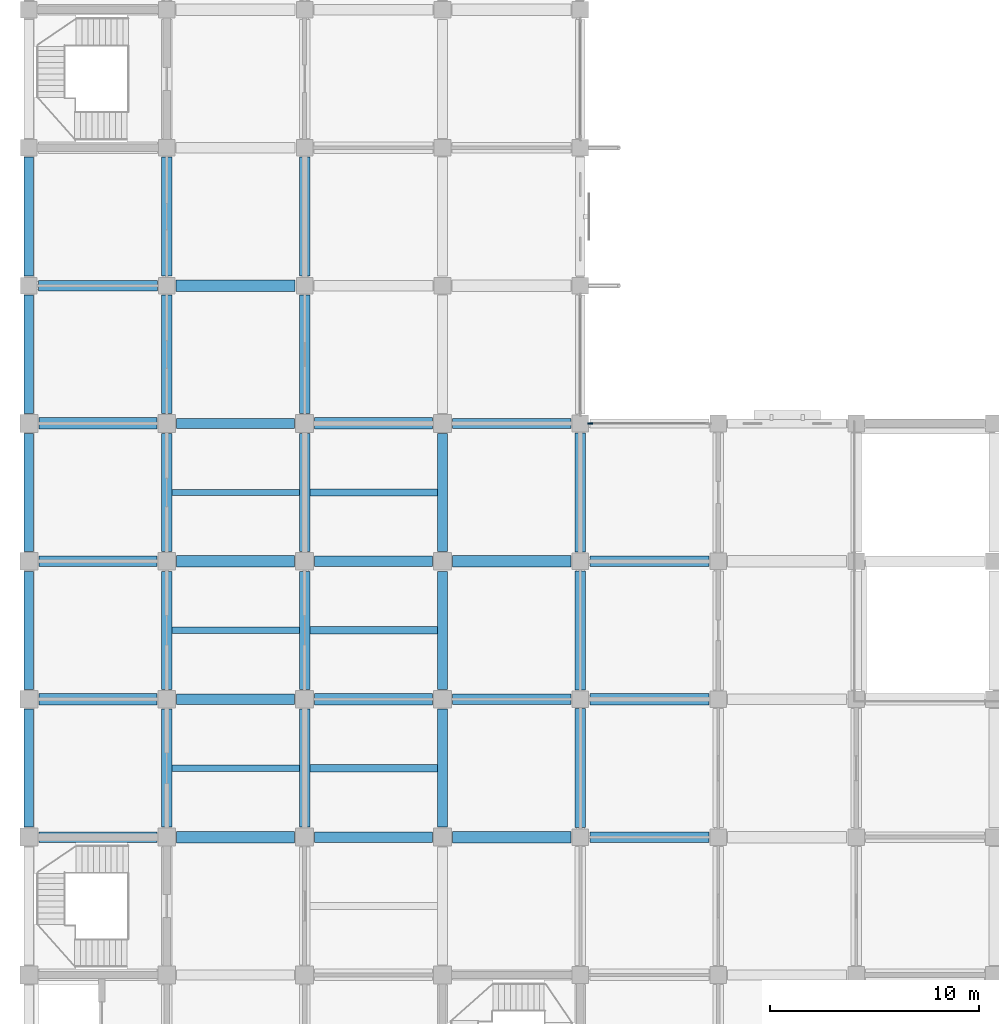
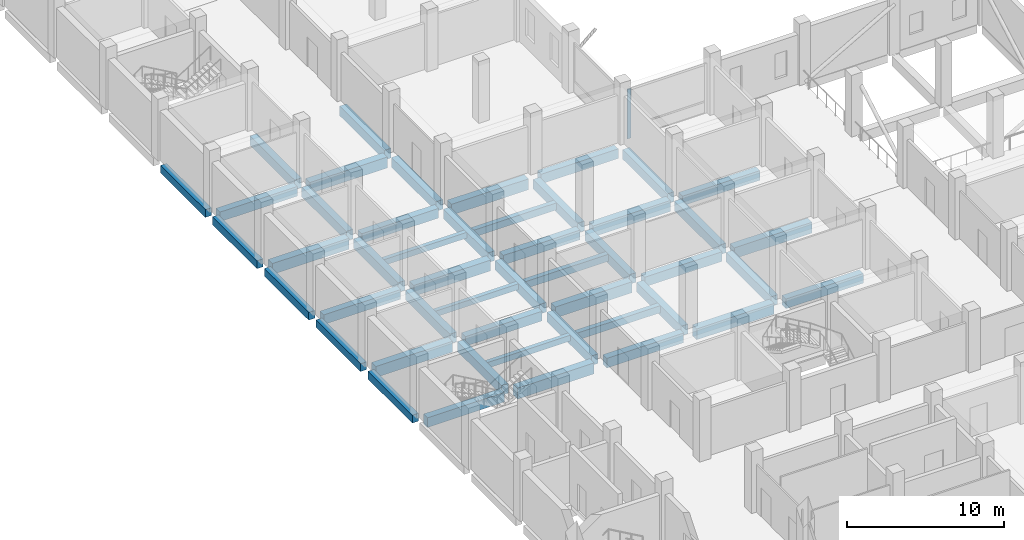
# One storey, part 4 of 34: 48 beams, 1 member, 1 element without a shape of its own.
"""IFC4 building model written with IfcOpenShell, lengths in metres."""

from ifc_helpers import new_model, si_unit, direction, frame, origin, origin_2d, place, context, subcontext, project, spatial, rectangle, extrude, material, material_profile, profile_set, type_object, element, aggregate, save


model = new_model("IFC4")

# Units and contexts
model_context = context("Model", 3, precision=1e-05, world=origin(), true_north=direction((0.0, 1.0)))
body_context = subcontext(model_context, "Body", "Model", "MODEL_VIEW")
ifc_project = project(units=[si_unit("LENGTHUNIT", "METRE"), si_unit("AREAUNIT", "SQUARE_METRE"), si_unit("VOLUMEUNIT", "CUBIC_METRE"), si_unit("PLANEANGLEUNIT", "RADIAN"), si_unit("MASSUNIT", "GRAM", prefix="KILO")], contexts=[model_context])

# Site, building, storey
site_placement = place(None, origin())
site = spatial("IfcSite", under=ifc_project, at=site_placement, CompositionType="ELEMENT")
building_placement = place(site_placement, origin())
building = spatial("IfcBuilding", under=site, at=building_placement, Name="Rusizi Kubbe Research Institute", CompositionType="ELEMENT")
storey_placement = place(building_placement, frame((0.0, 0.0, 5.39990234375)))
storey = spatial("IfcBuildingStorey", under=building, at=storey_placement, Name="L01", CompositionType="ELEMENT", Elevation=5.39990234375)

# Beams
ifc_material_1 = material(Name="Concrete C40/50", Category="concrete")
ifc_material_profile_1 = material_profile(ifc_material_1, rectangle(XDim=0.300048828125, YDim=0.449951171875, at=origin_2d()), Name="RC300x450")
ifc_profile_set_1 = profile_set([ifc_material_profile_1], Name="Concrete C40/50")
beam_type_1 = type_object("IfcBeamType", Name="BM-RC300x450", PredefinedType="LINTEL", material=ifc_profile_set_1)
for number, where, z_axis, x_axis, name in (
    (1, (6.85009765625, 36.300048828125, -0.574951171875), (1.0, 0.0, 0.0), (0.0, 1.0, 0.0), "Corridor Portal Lintel Beam L01-05"),
    (2, (6.85009765625, 42.89990234375, -0.574951171875), (1.0, 0.0, 0.0), (0.0, 1.0, 0.0), "Corridor Portal Lintel Beam L01-06"),
    (3, (6.85009765625, 49.5, -0.574951171875), (1.0, 0.0, 0.0), (0.0, 1.0, 0.0), "Corridor Portal Lintel Beam L01-07"),
):
    element("IfcBeam", number, at=place(storey_placement, frame(where, z_axis=z_axis, x_axis=x_axis)), inside=storey, type_object=beam_type_1, Name=name, PredefinedType="LINTEL", context=body_context, shape_type="SweptSolid", body=[
        extrude(rectangle(XDim=0.300048828125, YDim=0.449951171875, at=origin_2d()), origin(), (0.0, 0.0, 1.0), 6.099853515625),
    ])
ifc_material_2 = material(Name="Concrete C40/50", Category="concrete")
ifc_material_profile_2 = material_profile(ifc_material_2, rectangle(XDim=0.35009765625, YDim=0.550048828125, at=origin_2d()), Name="RC350x550")
ifc_profile_set_2 = profile_set([ifc_material_profile_2], Name="Concrete C40/50")
beam_type_2 = type_object("IfcBeamType", Name="BM-RC350x550", PredefinedType="JOIST", material=ifc_profile_set_2)
for number, where, z_axis, x_axis, name in (
    (4, (13.449951171875, 36.300048828125, -0.625), (1.0, 0.0, 0.0), (0.0, 1.0, 0.0), "Lab Stiffener Joist L01 (2,5)"),
    (5, (13.449951171875, 42.89990234375, -0.625), (1.0, 0.0, 0.0), (0.0, 1.0, 0.0), "Lab Stiffener Joist L01 (2,6)"),
    (6, (13.449951171875, 49.5, -0.625), (1.0, 0.0, 0.0), (0.0, 1.0, 0.0), "Lab Stiffener Joist L01 (2,7)"),
):
    element("IfcBeam", number, at=place(storey_placement, frame(where, z_axis=z_axis, x_axis=x_axis)), inside=storey, type_object=beam_type_2, Name=name, PredefinedType="JOIST", context=body_context, shape_type="SweptSolid", body=[
        extrude(rectangle(XDim=0.35009765625, YDim=0.550048828125, at=origin_2d()), origin(), (0.0, 0.0, 1.0), 6.10009765625),
    ])
ifc_material_3 = material(Name="Concrete C40/50", Category="concrete")
ifc_material_profile_3 = material_profile(ifc_material_3, rectangle(XDim=0.449951171875, YDim=0.60009765625, at=origin_2d()), Name="RC450x600")
ifc_profile_set_3 = profile_set([ifc_material_profile_3], Name="Concrete C40/50")
beam_type_3 = type_object("IfcBeamType", Name="BM-RC450x600", PredefinedType="SPANDREL", material=ifc_profile_set_3)
beam_1_placement = place(storey_placement, frame((0.0, 33.47509765625, -0.64990234375), z_axis=(0.0, 1.0, 0.0), x_axis=(-1.0, 0.0, 0.0)))
element("IfcBeam", 7, at=beam_1_placement, inside=storey, type_object=beam_type_3, Name="Grid Beam V L01 (0,5)", PredefinedType="SPANDREL", context=body_context, shape_type="SweptSolid", body=[
    extrude(rectangle(XDim=0.449951171875, YDim=0.60009765625, at=origin_2d()), origin(), (0.0, 0.0, 1.0), 5.64990234375),
])
beam_2_placement = place(storey_placement, frame((0.0, 40.074951171875, -0.64990234375), z_axis=(0.0, 1.0, 0.0), x_axis=(-1.0, 0.0, 0.0)))
element("IfcBeam", 8, at=beam_2_placement, inside=storey, type_object=beam_type_3, Name="Grid Beam V L01 (0,6)", PredefinedType="SPANDREL", context=body_context, shape_type="SweptSolid", body=[
    extrude(rectangle(XDim=0.449951171875, YDim=0.60009765625, at=origin_2d()), origin(), (0.0, 0.0, 1.0), 5.650146484375),
])
beam_3_placement = place(storey_placement, frame((0.0, 46.675048828125, -0.64990234375), z_axis=(0.0, 1.0, 0.0), x_axis=(-1.0, 0.0, 0.0)))
element("IfcBeam", 9, at=beam_3_placement, inside=storey, type_object=beam_type_3, Name="Grid Beam V L01 (0,7)", PredefinedType="SPANDREL", context=body_context, shape_type="SweptSolid", body=[
    extrude(rectangle(XDim=0.449951171875, YDim=0.60009765625, at=origin_2d()), origin(), (0.0, 0.0, 1.0), 5.64990234375),
])
beam_4_placement = place(storey_placement, frame((0.0, 53.27490234375, -0.64990234375), z_axis=(0.0, 1.0, 0.0), x_axis=(-1.0, 0.0, 0.0)))
element("IfcBeam", 10, at=beam_4_placement, inside=storey, type_object=beam_type_3, Name="Grid Beam V L01 (0,8)", PredefinedType="SPANDREL", context=body_context, shape_type="SweptSolid", body=[
    extrude(rectangle(XDim=0.449951171875, YDim=0.60009765625, at=origin_2d()), origin(), (0.0, 0.0, 1.0), 5.675048828125),
])
beam_5_placement = place(storey_placement, frame((0.0, 59.85009765625, -0.64990234375), z_axis=(0.0, 1.0, 0.0), x_axis=(-1.0, 0.0, 0.0)))
element("IfcBeam", 11, at=beam_5_placement, inside=storey, type_object=beam_type_3, Name="Grid Beam V L01 (0,9)", PredefinedType="SPANDREL", context=body_context, shape_type="SweptSolid", body=[
    extrude(rectangle(XDim=0.449951171875, YDim=0.60009765625, at=origin_2d()), origin(), (0.0, 0.0, 1.0), 5.699951171875),
])
ifc_material_4 = material(Name="Concrete C45/55", Category="concrete")
ifc_material_profile_4 = material_profile(ifc_material_4, rectangle(XDim=0.5, YDim=0.75, at=origin_2d()), Name="RC500x750B")
ifc_profile_set_4 = profile_set([ifc_material_profile_4], Name="Concrete C45/55")
beam_type_4 = type_object("IfcBeamType", Name="BM-RC500x750", PredefinedType="BEAM", material=ifc_profile_set_4)
for number, where, z_axis, x_axis, name in (
    (12, (0.47509765625, 33.0, -0.724853515625), (1.0, 0.0, 0.0), (0.0, 1.0, 0.0), "Grid Beam H L01 (0,5)"),
    (13, (0.47509765625, 46.199951171875, -0.724853515625), (1.0, 0.0, 0.0), (0.0, 1.0, 0.0), "Grid Beam H L01 (0,7)"),
):
    element("IfcBeam", number, at=place(storey_placement, frame(where, z_axis=z_axis, x_axis=x_axis)), inside=storey, type_object=beam_type_4, Name=name, PredefinedType="BEAM", context=body_context, shape_type="SweptSolid", body=[
        extrude(rectangle(XDim=0.5, YDim=0.75, at=origin_2d()), origin(), (0.0, 0.0, 1.0), 5.64990234375),
    ])
beam_6_placement = place(storey_placement, frame((0.449951171875, 59.39990234375, -0.724853515625), z_axis=(1.0, 0.0, 0.0), x_axis=(0.0, 1.0, 0.0)))
element("IfcBeam", 14, at=beam_6_placement, inside=storey, type_object=beam_type_4, Name="Grid Beam H L01 (0,9)", PredefinedType="BEAM", context=body_context, shape_type="SweptSolid", body=[
    extrude(rectangle(XDim=0.5, YDim=0.75, at=origin_2d()), origin(), (0.0, 0.0, 1.0), 5.699951171875),
])
for number, where, z_axis, x_axis, name in (
    (15, (7.074951171875, 39.60009765625, -0.724853515625), (1.0, 0.0, 0.0), (0.0, 1.0, 0.0), "Grid Beam H L01 (1,6)"),
    (16, (7.074951171875, 52.800048828125, -0.724853515625), (1.0, 0.0, 0.0), (0.0, 1.0, 0.0), "Grid Beam H L01 (1,8)"),
):
    element("IfcBeam", number, at=place(storey_placement, frame(where, z_axis=z_axis, x_axis=x_axis)), inside=storey, type_object=beam_type_4, Name=name, PredefinedType="BEAM", context=body_context, shape_type="SweptSolid", body=[
        extrude(rectangle(XDim=0.5, YDim=0.75, at=origin_2d()), origin(), (0.0, 0.0, 1.0), 5.650146484375),
    ])
for number, where, z_axis, x_axis, name in (
    (17, (13.675048828125, 33.0, -0.724853515625), (1.0, 0.0, 0.0), (0.0, 1.0, 0.0), "Grid Beam H L01 (2,5)"),
    (18, (13.675048828125, 46.199951171875, -0.724853515625), (1.0, 0.0, 0.0), (0.0, 1.0, 0.0), "Grid Beam H L01 (2,7)"),
):
    element("IfcBeam", number, at=place(storey_placement, frame(where, z_axis=z_axis, x_axis=x_axis)), inside=storey, type_object=beam_type_4, Name=name, PredefinedType="BEAM", context=body_context, shape_type="SweptSolid", body=[
        extrude(rectangle(XDim=0.5, YDim=0.75, at=origin_2d()), origin(), (0.0, 0.0, 1.0), 5.64990234375),
    ])
for number, where, z_axis, x_axis, name in (
    (19, (20.27490234375, 39.60009765625, -0.724853515625), (1.0, 0.0, 0.0), (0.0, 1.0, 0.0), "Grid Beam H L01 (3,6)"),
    (20, (20.27490234375, 52.800048828125, -0.724853515625), (1.0, 0.0, 0.0), (0.0, 1.0, 0.0), "Grid Beam H L01 (3,8)"),
):
    element("IfcBeam", number, at=place(storey_placement, frame(where, z_axis=z_axis, x_axis=x_axis)), inside=storey, type_object=beam_type_4, Name=name, PredefinedType="BEAM", context=body_context, shape_type="SweptSolid", body=[
        extrude(rectangle(XDim=0.5, YDim=0.75, at=origin_2d()), origin(), (0.0, 0.0, 1.0), 5.675048828125),
    ])
for number, where, z_axis, x_axis, name in (
    (21, (26.85009765625, 33.0, -0.724853515625), (1.0, 0.0, 0.0), (0.0, 1.0, 0.0), "Grid Beam H L01 (4,5)"),
    (22, (26.85009765625, 46.199951171875, -0.724853515625), (1.0, 0.0, 0.0), (0.0, 1.0, 0.0), "Grid Beam H L01 (4,7)"),
):
    element("IfcBeam", number, at=place(storey_placement, frame(where, z_axis=z_axis, x_axis=x_axis)), inside=storey, type_object=beam_type_4, Name=name, PredefinedType="BEAM", context=body_context, shape_type="SweptSolid", body=[
        extrude(rectangle(XDim=0.5, YDim=0.75, at=origin_2d()), origin(), (0.0, 0.0, 1.0), 5.699951171875),
    ])
beam_7_placement = place(storey_placement, frame((6.60009765625, 33.47509765625, -0.724853515625), z_axis=(0.0, 1.0, 0.0), x_axis=(-1.0, 0.0, 0.0)))
element("IfcBeam", 23, at=beam_7_placement, inside=storey, type_object=beam_type_4, Name="Grid Beam V L01 (1,5)", PredefinedType="BEAM", context=body_context, shape_type="SweptSolid", body=[
    extrude(rectangle(XDim=0.5, YDim=0.75, at=origin_2d()), origin(), (0.0, 0.0, 1.0), 5.64990234375),
])
beam_8_placement = place(storey_placement, frame((6.60009765625, 40.074951171875, -0.724853515625), z_axis=(0.0, 1.0, 0.0), x_axis=(-1.0, 0.0, 0.0)))
element("IfcBeam", 24, at=beam_8_placement, inside=storey, type_object=beam_type_4, Name="Grid Beam V L01 (1,6)", PredefinedType="BEAM", context=body_context, shape_type="SweptSolid", body=[
    extrude(rectangle(XDim=0.5, YDim=0.75, at=origin_2d()), origin(), (0.0, 0.0, 1.0), 5.650146484375),
])
beam_9_placement = place(storey_placement, frame((6.60009765625, 46.675048828125, -0.724853515625), z_axis=(0.0, 1.0, 0.0), x_axis=(-1.0, 0.0, 0.0)))
element("IfcBeam", 25, at=beam_9_placement, inside=storey, type_object=beam_type_4, Name="Grid Beam V L01 (1,7)", PredefinedType="BEAM", context=body_context, shape_type="SweptSolid", body=[
    extrude(rectangle(XDim=0.5, YDim=0.75, at=origin_2d()), origin(), (0.0, 0.0, 1.0), 5.64990234375),
])
beam_10_placement = place(storey_placement, frame((6.60009765625, 53.27490234375, -0.724853515625), z_axis=(0.0, 1.0, 0.0), x_axis=(-1.0, 0.0, 0.0)))
element("IfcBeam", 26, at=beam_10_placement, inside=storey, type_object=beam_type_4, Name="Grid Beam V L01 (1,8)", PredefinedType="BEAM", context=body_context, shape_type="SweptSolid", body=[
    extrude(rectangle(XDim=0.5, YDim=0.75, at=origin_2d()), origin(), (0.0, 0.0, 1.0), 5.675048828125),
])
beam_11_placement = place(storey_placement, frame((6.60009765625, 59.85009765625, -0.724853515625), z_axis=(0.0, 1.0, 0.0), x_axis=(-1.0, 0.0, 0.0)))
element("IfcBeam", 27, at=beam_11_placement, inside=storey, type_object=beam_type_4, Name="Grid Beam V L01 (1,9)", PredefinedType="BEAM", context=body_context, shape_type="SweptSolid", body=[
    extrude(rectangle(XDim=0.5, YDim=0.75, at=origin_2d()), origin(), (0.0, 0.0, 1.0), 5.699951171875),
])
beam_12_placement = place(storey_placement, frame((13.199951171875, 33.47509765625, -0.724853515625), z_axis=(0.0, 1.0, 0.0), x_axis=(-1.0, 0.0, 0.0)))
element("IfcBeam", 28, at=beam_12_placement, inside=storey, type_object=beam_type_4, Name="Grid Beam V L01 (2,5)", PredefinedType="BEAM", context=body_context, shape_type="SweptSolid", body=[
    extrude(rectangle(XDim=0.5, YDim=0.75, at=origin_2d()), origin(), (0.0, 0.0, 1.0), 5.64990234375),
])
beam_13_placement = place(storey_placement, frame((13.199951171875, 40.074951171875, -0.724853515625), z_axis=(0.0, 1.0, 0.0), x_axis=(-1.0, 0.0, 0.0)))
element("IfcBeam", 29, at=beam_13_placement, inside=storey, type_object=beam_type_4, Name="Grid Beam V L01 (2,6)", PredefinedType="BEAM", context=body_context, shape_type="SweptSolid", body=[
    extrude(rectangle(XDim=0.5, YDim=0.75, at=origin_2d()), origin(), (0.0, 0.0, 1.0), 5.650146484375),
])
beam_14_placement = place(storey_placement, frame((13.199951171875, 46.675048828125, -0.724853515625), z_axis=(0.0, 1.0, 0.0), x_axis=(-1.0, 0.0, 0.0)))
element("IfcBeam", 30, at=beam_14_placement, inside=storey, type_object=beam_type_4, Name="Grid Beam V L01 (2,7)", PredefinedType="BEAM", context=body_context, shape_type="SweptSolid", body=[
    extrude(rectangle(XDim=0.5, YDim=0.75, at=origin_2d()), origin(), (0.0, 0.0, 1.0), 5.64990234375),
])
beam_15_placement = place(storey_placement, frame((13.199951171875, 53.27490234375, -0.724853515625), z_axis=(0.0, 1.0, 0.0), x_axis=(-1.0, 0.0, 0.0)))
element("IfcBeam", 31, at=beam_15_placement, inside=storey, type_object=beam_type_4, Name="Grid Beam V L01 (2,8)", PredefinedType="BEAM", context=body_context, shape_type="SweptSolid", body=[
    extrude(rectangle(XDim=0.5, YDim=0.75, at=origin_2d()), origin(), (0.0, 0.0, 1.0), 5.675048828125),
])
beam_16_placement = place(storey_placement, frame((13.199951171875, 59.85009765625, -0.724853515625), z_axis=(0.0, 1.0, 0.0), x_axis=(-1.0, 0.0, 0.0)))
element("IfcBeam", 32, at=beam_16_placement, inside=storey, type_object=beam_type_4, Name="Grid Beam V L01 (2,9)", PredefinedType="BEAM", context=body_context, shape_type="SweptSolid", body=[
    extrude(rectangle(XDim=0.5, YDim=0.75, at=origin_2d()), origin(), (0.0, 0.0, 1.0), 5.699951171875),
])
beam_17_placement = place(storey_placement, frame((19.800048828125, 33.47509765625, -0.724853515625), z_axis=(0.0, 1.0, 0.0), x_axis=(-1.0, 0.0, 0.0)))
element("IfcBeam", 33, at=beam_17_placement, inside=storey, type_object=beam_type_4, Name="Grid Beam V L01 (3,5)", PredefinedType="BEAM", context=body_context, shape_type="SweptSolid", body=[
    extrude(rectangle(XDim=0.5, YDim=0.75, at=origin_2d()), origin(), (0.0, 0.0, 1.0), 5.64990234375),
])
beam_18_placement = place(storey_placement, frame((19.800048828125, 40.074951171875, -0.724853515625), z_axis=(0.0, 1.0, 0.0), x_axis=(-1.0, 0.0, 0.0)))
element("IfcBeam", 34, at=beam_18_placement, inside=storey, type_object=beam_type_4, Name="Grid Beam V L01 (3,6)", PredefinedType="BEAM", context=body_context, shape_type="SweptSolid", body=[
    extrude(rectangle(XDim=0.5, YDim=0.75, at=origin_2d()), origin(), (0.0, 0.0, 1.0), 5.650146484375),
])
beam_19_placement = place(storey_placement, frame((19.800048828125, 46.675048828125, -0.724853515625), z_axis=(0.0, 1.0, 0.0), x_axis=(-1.0, 0.0, 0.0)))
element("IfcBeam", 35, at=beam_19_placement, inside=storey, type_object=beam_type_4, Name="Grid Beam V L01 (3,7)", PredefinedType="BEAM", context=body_context, shape_type="SweptSolid", body=[
    extrude(rectangle(XDim=0.5, YDim=0.75, at=origin_2d()), origin(), (0.0, 0.0, 1.0), 5.64990234375),
])
for number, where, z_axis, x_axis, name in (
    (36, (26.39990234375, 33.449951171875, -0.724853515625), (0.0, 1.0, 0.0), (-1.0, 0.0, 0.0), "Grid Beam V L01 (4,5)"),
    (37, (26.39990234375, 40.050048828125, -0.724853515625), (0.0, 1.0, 0.0), (-1.0, 0.0, 0.0), "Grid Beam V L01 (4,6)"),
):
    element("IfcBeam", number, at=place(storey_placement, frame(where, z_axis=z_axis, x_axis=x_axis)), inside=storey, type_object=beam_type_4, Name=name, PredefinedType="BEAM", context=body_context, shape_type="SweptSolid", body=[
        extrude(rectangle(XDim=0.5, YDim=0.75, at=origin_2d()), origin(), (0.0, 0.0, 1.0), 5.699951171875),
    ])
beam_20_placement = place(storey_placement, frame((26.39990234375, 46.64990234375, -0.724853515625), z_axis=(0.0, 1.0, 0.0), x_axis=(-1.0, 0.0, 0.0)))
element("IfcBeam", 38, at=beam_20_placement, inside=storey, type_object=beam_type_4, Name="Grid Beam V L01 (4,7)", PredefinedType="BEAM", context=body_context, shape_type="SweptSolid", body=[
    extrude(rectangle(XDim=0.5, YDim=0.75, at=origin_2d()), origin(), (0.0, 0.0, 1.0), 5.7001953125),
])
ifc_material_5 = material(Name="Concrete C45/55", Category="concrete")
ifc_material_profile_5 = material_profile(ifc_material_5, rectangle(XDim=0.550048828125, YDim=0.85009765625, at=origin_2d()), Name="RC550x850")
ifc_profile_set_5 = profile_set([ifc_material_profile_5], Name="Concrete C45/55")
beam_type_5 = type_object("IfcBeamType", Name="BM-RC550x850", PredefinedType="BEAM", material=ifc_profile_set_5)
for number, where, z_axis, x_axis, name in (
    (39, (0.47509765625, 39.60009765625, -0.77490234375), (1.0, 0.0, 0.0), (0.0, 1.0, 0.0), "Grid Beam H L01 (0,6)"),
    (40, (0.47509765625, 52.800048828125, -0.77490234375), (1.0, 0.0, 0.0), (0.0, 1.0, 0.0), "Grid Beam H L01 (0,8)"),
):
    element("IfcBeam", number, at=place(storey_placement, frame(where, z_axis=z_axis, x_axis=x_axis)), inside=storey, type_object=beam_type_5, Name=name, PredefinedType="BEAM", context=body_context, shape_type="SweptSolid", body=[
        extrude(rectangle(XDim=0.550048828125, YDim=0.85009765625, at=origin_2d()), origin(), (0.0, 0.0, 1.0), 5.64990234375),
    ])
for number, where, z_axis, x_axis, name in (
    (41, (7.074951171875, 33.0, -0.77490234375), (1.0, 0.0, 0.0), (0.0, 1.0, 0.0), "Grid Beam H L01 (1,5)"),
    (42, (7.074951171875, 46.199951171875, -0.77490234375), (1.0, 0.0, 0.0), (0.0, 1.0, 0.0), "Grid Beam H L01 (1,7)"),
):
    element("IfcBeam", number, at=place(storey_placement, frame(where, z_axis=z_axis, x_axis=x_axis)), inside=storey, type_object=beam_type_5, Name=name, PredefinedType="BEAM", context=body_context, shape_type="SweptSolid", body=[
        extrude(rectangle(XDim=0.550048828125, YDim=0.85009765625, at=origin_2d()), origin(), (0.0, 0.0, 1.0), 5.650146484375),
    ])
beam_21_placement = place(storey_placement, frame((7.050048828125, 59.39990234375, -0.77490234375), z_axis=(1.0, 0.0, 0.0), x_axis=(0.0, 1.0, 0.0)))
element("IfcBeam", 43, at=beam_21_placement, inside=storey, type_object=beam_type_5, Name="Grid Beam H L01 (1,9)", PredefinedType="BEAM", context=body_context, shape_type="SweptSolid", body=[
    extrude(rectangle(XDim=0.550048828125, YDim=0.85009765625, at=origin_2d()), origin(), (0.0, 0.0, 1.0), 5.699951171875),
])
for number, where, z_axis, x_axis, name in (
    (44, (13.675048828125, 39.60009765625, -0.77490234375), (1.0, 0.0, 0.0), (0.0, 1.0, 0.0), "Grid Beam H L01 (2,6)"),
    (45, (13.675048828125, 52.800048828125, -0.77490234375), (1.0, 0.0, 0.0), (0.0, 1.0, 0.0), "Grid Beam H L01 (2,8)"),
):
    element("IfcBeam", number, at=place(storey_placement, frame(where, z_axis=z_axis, x_axis=x_axis)), inside=storey, type_object=beam_type_5, Name=name, PredefinedType="BEAM", context=body_context, shape_type="SweptSolid", body=[
        extrude(rectangle(XDim=0.550048828125, YDim=0.85009765625, at=origin_2d()), origin(), (0.0, 0.0, 1.0), 5.64990234375),
    ])
for number, where, z_axis, x_axis, name in (
    (46, (20.27490234375, 33.0, -0.77490234375), (1.0, 0.0, 0.0), (0.0, 1.0, 0.0), "Grid Beam H L01 (3,5)"),
    (47, (20.27490234375, 46.199951171875, -0.77490234375), (1.0, 0.0, 0.0), (0.0, 1.0, 0.0), "Grid Beam H L01 (3,7)"),
):
    element("IfcBeam", number, at=place(storey_placement, frame(where, z_axis=z_axis, x_axis=x_axis)), inside=storey, type_object=beam_type_5, Name=name, PredefinedType="BEAM", context=body_context, shape_type="SweptSolid", body=[
        extrude(rectangle(XDim=0.550048828125, YDim=0.85009765625, at=origin_2d()), origin(), (0.0, 0.0, 1.0), 5.675048828125),
    ])
beam_22_placement = place(storey_placement, frame((26.85009765625, 39.60009765625, -0.77490234375), z_axis=(1.0, 0.0, 0.0), x_axis=(0.0, 1.0, 0.0)))
element("IfcBeam", 48, at=beam_22_placement, inside=storey, type_object=beam_type_5, Name="Grid Beam H L01 (4,6)", PredefinedType="BEAM", context=body_context, shape_type="SweptSolid", body=[
    extrude(rectangle(XDim=0.550048828125, YDim=0.85009765625, at=origin_2d()), origin(), (0.0, 0.0, 1.0), 5.699951171875),
])

# Curtain wall, member
ifc_material_6 = material(Name="Thermally Broken Aluminium and Low-E Glazing", Category="aluminium")
curtain_wall_type = type_object("IfcCurtainWallType", Name="CW-17", PredefinedType="NOTDEFINED", material=ifc_material_6)
curtain_wall_placement = place(storey_placement, origin())
curtain_wall = element("IfcCurtainWall", 49, at=curtain_wall_placement, inside=storey, type_object=curtain_wall_type, Name="Unitised Facade Curtain Wall CW-L01-H-04-08", PredefinedType="NOTDEFINED")
ifc_material_7 = material(Name="Aluminium Alloy 6063-T6", Category="aluminium")
ifc_material_profile_6 = material_profile(ifc_material_7, rectangle(XDim=0.074951171875, YDim=0.25, at=origin_2d()), Name="ALU-M 75x250")
ifc_profile_set_6 = profile_set([ifc_material_profile_6], Name="Aluminium Alloy 6063-T6")
member_type = type_object("IfcMemberType", Name="ML-05", PredefinedType="MULLION", material=ifc_profile_set_6)
member_placement = place(storey_placement, frame((26.867431640625, 52.800048828125, 0.0), z_axis=(0.0, 0.0, 1.0), x_axis=(0.0, 1.0, 0.0)))
member = element("IfcMember", 50, at=member_placement, type_object=member_type, Name="CW-17 mullion 1", PredefinedType="MULLION", context=body_context, shape_type="SweptSolid", body=[
    extrude(rectangle(XDim=0.074951171875, YDim=0.25, at=origin_2d()), origin(), (0.0, 0.0, 1.0), 3.85009765625),
])
aggregate(curtain_wall, [member])

save(model, "model.ifc")
